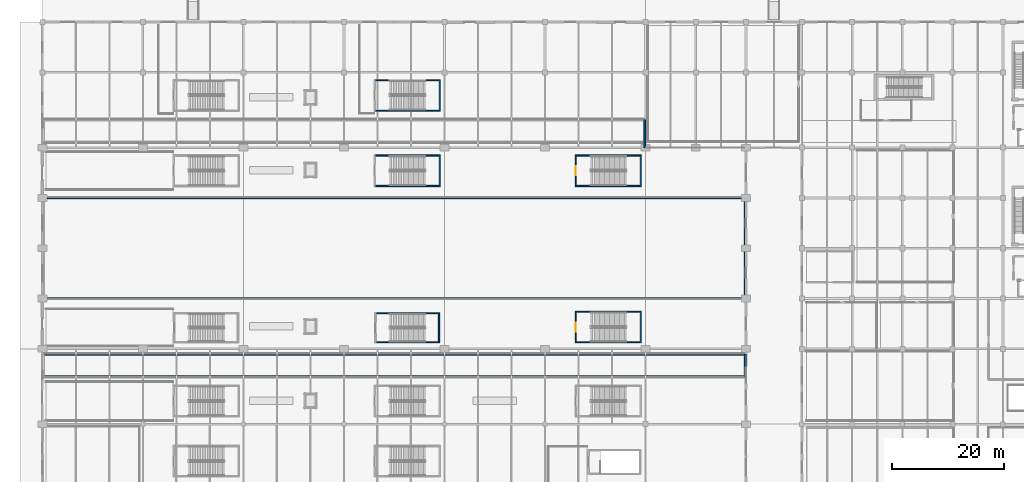
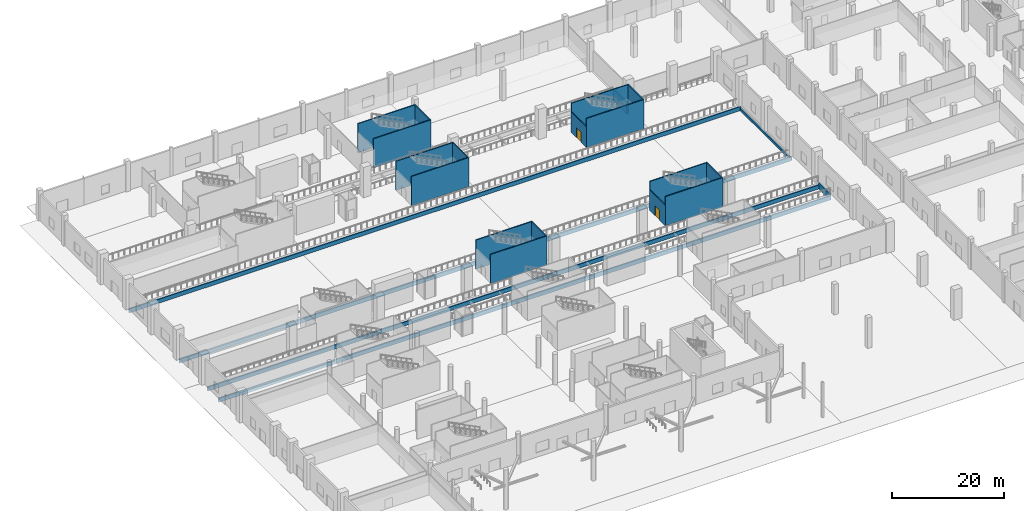
# One storey, part 20 of 65: 24 walls, 2 doors, 2 openings.
"""IFC4 building model written with IfcOpenShell, lengths in metres."""

from ifc_helpers import new_model, si_unit, direction, frame, frame_2d, origin, place, context, subcontext, project, spatial, rectangle, extrude, material, layer, layer_set, type_object, element, fill, save


model = new_model("IFC4")

# Units and contexts
model_context = context("Model", 3, precision=1e-05, world=origin(), true_north=direction((0.0, 1.0)))
body_context = subcontext(model_context, "Body", "Model", "MODEL_VIEW")
ifc_project = project(units=[si_unit("LENGTHUNIT", "METRE"), si_unit("AREAUNIT", "SQUARE_METRE"), si_unit("VOLUMEUNIT", "CUBIC_METRE"), si_unit("PLANEANGLEUNIT", "RADIAN"), si_unit("MASSUNIT", "GRAM", prefix="KILO")], contexts=[model_context])

# Site, building, storey
site_placement = place(None, origin())
site = spatial("IfcSite", under=ifc_project, at=site_placement, CompositionType="ELEMENT")
building_placement = place(site_placement, origin())
building = spatial("IfcBuilding", under=site, at=building_placement, Name="Chuanluo Vaults Station", CompositionType="ELEMENT")
storey_placement = place(building_placement, origin())
storey = spatial("IfcBuildingStorey", under=building, at=storey_placement, Name="L00", CompositionType="ELEMENT", Elevation=0.0)

# Walls
ifc_material_1 = material(Name="Concrete C40", Category="concrete")
ifc_layer_1 = layer(ifc_material_1, 0.300048828125)
ifc_layer_set_1 = layer_set([ifc_layer_1], Name="Concrete C40")
wall_type_1 = type_object("IfcWallType", Name="WL-EXT-300", PredefinedType="SOLIDWALL", material=ifc_layer_set_1)
wall_1_placement = place(storey_placement, frame((125.85009765625, 62.5, -1.25), z_axis=(0.0, 0.0, 1.0), x_axis=(0.0, 1.0, 0.0)))
element("IfcWall", 1, at=wall_1_placement, inside=storey, type_object=wall_type_1, Name="Track 1 east end closure wall", PredefinedType="SOLIDWALL", context=body_context, shape_type="SweptSolid", body=[
    extrude(rectangle(XDim=4.0, YDim=0.300048828125, at=frame_2d((2.0, 0.0))), origin(), (0.0, 0.0, 1.0), 1.22998046875),
])
wall_2_placement = place(storey_placement, frame((125.85009765625, 76.5, -1.25), z_axis=(0.0, 0.0, 1.0), x_axis=(0.0, 1.0, 0.0)))
element("IfcWall", 2, at=wall_2_placement, inside=storey, type_object=wall_type_1, Name="Central tracks east end closure wall", PredefinedType="SOLIDWALL", context=body_context, shape_type="SweptSolid", body=[
    extrude(rectangle(XDim=18.0, YDim=0.300048828125, at=frame_2d((9.0, 0.0))), origin(), (0.0, 0.0, 1.0), 0.52001953125),
])
wall_3_placement = place(storey_placement, frame((107.85009765625, 103.5, -1.25), z_axis=(0.0, 0.0, 1.0), x_axis=(0.0, 1.0, 0.0)))
element("IfcWall", 3, at=wall_3_placement, inside=storey, type_object=wall_type_1, Name="Track 6 east end closure wall", PredefinedType="SOLIDWALL", context=body_context, shape_type="SweptSolid", body=[
    extrude(rectangle(XDim=5.0, YDim=0.300048828125, at=frame_2d((2.5, 0.0))), origin(), (0.0, 0.0, 1.0), 2.5),
])
for number, where, z_axis, x_axis, name in (
    (4, (0.14990234375, 62.5, -1.25), (0.0, 0.0, 1.0), (1.0, 0.0, 0.0), "Platform under-apron closure wall 1"),
    (5, (0.14990234375, 66.5, -1.25), (0.0, 0.0, 1.0), (1.0, 0.0, 0.0), "Platform under-apron closure wall 2"),
    (6, (0.14990234375, 76.5, -1.25), (0.0, 0.0, 1.0), (1.0, 0.0, 0.0), "Platform under-apron closure wall 3"),
    (7, (0.14990234375, 94.5, -1.25), (0.0, 0.0, 1.0), (1.0, 0.0, 0.0), "Platform under-apron closure wall 4"),
):
    element("IfcWall", number, at=place(storey_placement, frame(where, z_axis=z_axis, x_axis=x_axis)), inside=storey, type_object=wall_type_1, Name=name, PredefinedType="SOLIDWALL", context=body_context, shape_type="SweptSolid", body=[
        extrude(rectangle(XDim=125.7001953125, YDim=0.300048828125, at=frame_2d((62.85009765625, 0.0))), origin(), (0.0, 0.0, 1.0), 0.8701171875),
    ])
ifc_material_2 = material(Name="Concrete C40", Category="concrete")
ifc_layer_2 = layer(ifc_material_2, 0.199951171875)
ifc_layer_set_2 = layer_set([ifc_layer_2], Name="Concrete C40")
wall_type_2 = type_object("IfcWallType", Name="WL-SHF-200", PredefinedType="SOLIDWALL", material=ifc_layer_set_2)
for number, where, z_axis, x_axis, name in (
    (8, (59.550048828125, 68.64990234375, 0.0), (0.0, 0.0, 1.0), (1.0, 0.0, 0.0), "Stair ST-11 south shaft wall L00"),
    (9, (71.125, 73.85009765625, 0.0), (0.0, 0.0, 1.0), (-1.0, 0.0, 0.0), "Stair ST-11 north shaft wall L00"),
):
    element("IfcWall", number, at=place(storey_placement, frame(where, z_axis=z_axis, x_axis=x_axis)), inside=storey, type_object=wall_type_2, Name=name, PredefinedType="SOLIDWALL", context=body_context, shape_type="SweptSolid", body=[
        extrude(rectangle(XDim=11.574951171875, YDim=0.199951171875, at=frame_2d((5.78759765625, 0.0))), origin(), (0.0, 0.0, 1.0), 6.320068359375),
    ])
wall_4_placement = place(storey_placement, frame((71.02490234375, 68.550048828125, 0.0), z_axis=(0.0, 0.0, 1.0), x_axis=(0.0, 1.0, 0.0)))
element("IfcWall", 10, at=wall_4_placement, inside=storey, type_object=wall_type_2, Name="Stair ST-11 far shaft wall L00", PredefinedType="SOLIDWALL", context=body_context, shape_type="SweptSolid", body=[
    extrude(rectangle(XDim=5.39990234375, YDim=0.199951171875, at=frame_2d((2.699951171875, 0.0))), origin(), (0.0, 0.0, 1.0), 6.320068359375),
])
for number, where, z_axis, x_axis, name in (
    (11, (95.425048828125, 68.64990234375, 0.0), (0.0, 0.0, 1.0), (1.0, 0.0, 0.0), "Stair ST-12 south shaft wall L00"),
    (12, (107.25, 74.10009765625, 0.0), (0.0, 0.0, 1.0), (-1.0, 0.0, 0.0), "Stair ST-12 north shaft wall L00"),
):
    element("IfcWall", number, at=place(storey_placement, frame(where, z_axis=z_axis, x_axis=x_axis)), inside=storey, type_object=wall_type_2, Name=name, PredefinedType="SOLIDWALL", context=body_context, shape_type="SweptSolid", body=[
        extrude(rectangle(XDim=11.824951171875, YDim=0.199951171875, at=frame_2d((5.91259765625, 0.0))), origin(), (0.0, 0.0, 1.0), 6.320068359375),
    ])
wall_5_placement = place(storey_placement, frame((107.14990234375, 68.550048828125, 0.0), z_axis=(0.0, 0.0, 1.0), x_axis=(0.0, 1.0, 0.0)))
element("IfcWall", 13, at=wall_5_placement, inside=storey, type_object=wall_type_2, Name="Stair ST-12 far shaft wall L00", PredefinedType="SOLIDWALL", context=body_context, shape_type="SweptSolid", body=[
    extrude(rectangle(XDim=5.64990234375, YDim=0.199951171875, at=frame_2d((2.824951171875, 0.0))), origin(), (0.0, 0.0, 1.0), 6.320068359375),
])

# Wall, opening, door
wall_6_placement = place(storey_placement, frame((95.52490234375, 74.199951171875, 0.0), z_axis=(0.0, 0.0, 1.0), x_axis=(0.0, -1.0, 0.0)))
wall_6 = element("IfcWall", 14, at=wall_6_placement, inside=storey, type_object=wall_type_2, Name="Stair ST-12 vestibule wall L00", PredefinedType="SOLIDWALL", context=body_context, shape_type="SweptSolid", body=[
    extrude(rectangle(XDim=5.64990234375, YDim=0.199951171875, at=frame_2d((2.824951171875, 0.0))), origin(), (0.0, 0.0, 1.0), 4.39990234375),
])
opening_1_placement = place(wall_6_placement, frame((2.02490234375, 0.0, 0.0)))
opening_1 = element("IfcOpeningElement", 15, at=opening_1_placement, cuts=wall_6, Name="Opening FD-02", PredefinedType="OPENING", context=body_context, shape_type="SweptSolid", body=[
    extrude(rectangle(XDim=1.60009765625, YDim=2.14990234375, at=frame_2d((0.800048828125, 1.074951171875))), frame((0.0, 0.1101, 0.0), z_axis=(0.0, -1.0, 0.0), x_axis=(1.0, 0.0, 0.0)), (0.0, 0.0, 1.0), 0.21995),
])
ifc_material_3 = material(Name="Fire-rated steel leaf", Category="steel")
door_type = type_object("IfcDoorType", Name="DR-FIR-1600x2150", OperationType="NOTDEFINED", PredefinedType="DOOR", material=ifc_material_3)
door_1_placement = place(opening_1_placement, origin())
door_1 = element("IfcDoor", 16, at=door_1_placement, inside=storey, type_object=door_type, Name="D-103 Stair ST-12 fire door L00", OperationType="SINGLE_SWING_RIGHT", OverallHeight=2.14990234375, OverallWidth=1.60009765625, PredefinedType="DOOR", context=body_context, shape_type="SweptSolid", body=[
    extrude(rectangle(XDim=1.60009765625, YDim=2.14990234375, at=frame_2d((0.800048828125, 1.074951171875))), frame((0.0, 0.02490234375, 0.0), z_axis=(0.0, -1.0, 0.0), x_axis=(1.0, 0.0, 0.0)), (0.0, 0.0, 1.0), 0.050048828125),
])
fill(opening_1, door_1)

# Walls
for number, where, z_axis, x_axis, name in (
    (17, (59.425048828125, 96.64990234375, 0.0), (0.0, 0.0, 1.0), (1.0, 0.0, 0.0), "Stair ST-14 south shaft wall L00"),
    (18, (71.25, 102.10009765625, 0.0), (0.0, 0.0, 1.0), (-1.0, 0.0, 0.0), "Stair ST-14 north shaft wall L00"),
):
    element("IfcWall", number, at=place(storey_placement, frame(where, z_axis=z_axis, x_axis=x_axis)), inside=storey, type_object=wall_type_2, Name=name, PredefinedType="SOLIDWALL", context=body_context, shape_type="SweptSolid", body=[
        extrude(rectangle(XDim=11.824951171875, YDim=0.199951171875, at=frame_2d((5.91259765625, 0.0))), origin(), (0.0, 0.0, 1.0), 6.320068359375),
    ])
wall_7_placement = place(storey_placement, frame((71.14990234375, 96.550048828125, 0.0), z_axis=(0.0, 0.0, 1.0), x_axis=(0.0, 1.0, 0.0)))
element("IfcWall", 19, at=wall_7_placement, inside=storey, type_object=wall_type_2, Name="Stair ST-14 far shaft wall L00", PredefinedType="SOLIDWALL", context=body_context, shape_type="SweptSolid", body=[
    extrude(rectangle(XDim=5.64990234375, YDim=0.199951171875, at=frame_2d((2.824951171875, 0.0))), origin(), (0.0, 0.0, 1.0), 6.320068359375),
])
for number, where, z_axis, x_axis, name in (
    (20, (95.425048828125, 96.64990234375, 0.0), (0.0, 0.0, 1.0), (1.0, 0.0, 0.0), "Stair ST-15 south shaft wall L00"),
    (21, (107.25, 102.10009765625, 0.0), (0.0, 0.0, 1.0), (-1.0, 0.0, 0.0), "Stair ST-15 north shaft wall L00"),
):
    element("IfcWall", number, at=place(storey_placement, frame(where, z_axis=z_axis, x_axis=x_axis)), inside=storey, type_object=wall_type_2, Name=name, PredefinedType="SOLIDWALL", context=body_context, shape_type="SweptSolid", body=[
        extrude(rectangle(XDim=11.824951171875, YDim=0.199951171875, at=frame_2d((5.91259765625, 0.0))), origin(), (0.0, 0.0, 1.0), 6.320068359375),
    ])
wall_8_placement = place(storey_placement, frame((107.14990234375, 96.550048828125, 0.0), z_axis=(0.0, 0.0, 1.0), x_axis=(0.0, 1.0, 0.0)))
element("IfcWall", 22, at=wall_8_placement, inside=storey, type_object=wall_type_2, Name="Stair ST-15 far shaft wall L00", PredefinedType="SOLIDWALL", context=body_context, shape_type="SweptSolid", body=[
    extrude(rectangle(XDim=5.64990234375, YDim=0.199951171875, at=frame_2d((2.824951171875, 0.0))), origin(), (0.0, 0.0, 1.0), 6.320068359375),
])

# Wall, opening, door
wall_9_placement = place(storey_placement, frame((95.52490234375, 102.199951171875, 0.0), z_axis=(0.0, 0.0, 1.0), x_axis=(0.0, -1.0, 0.0)))
wall_9 = element("IfcWall", 23, at=wall_9_placement, inside=storey, type_object=wall_type_2, Name="Stair ST-15 vestibule wall L00", PredefinedType="SOLIDWALL", context=body_context, shape_type="SweptSolid", body=[
    extrude(rectangle(XDim=5.64990234375, YDim=0.199951171875, at=frame_2d((2.824951171875, 0.0))), origin(), (0.0, 0.0, 1.0), 4.39990234375),
])
opening_2_placement = place(wall_9_placement, frame((2.02490234375, 0.0, 0.0)))
opening_2 = element("IfcOpeningElement", 24, at=opening_2_placement, cuts=wall_9, Name="Opening FD-02", PredefinedType="OPENING", context=body_context, shape_type="SweptSolid", body=[
    extrude(rectangle(XDim=1.60009765625, YDim=2.14990234375, at=frame_2d((0.800048828125, 1.074951171875))), frame((0.0, 0.1101, 0.0), z_axis=(0.0, -1.0, 0.0), x_axis=(1.0, 0.0, 0.0)), (0.0, 0.0, 1.0), 0.21995),
])
door_2_placement = place(opening_2_placement, origin())
door_2 = element("IfcDoor", 25, at=door_2_placement, inside=storey, type_object=door_type, Name="D-109 Stair ST-15 fire door L00", OperationType="SINGLE_SWING_RIGHT", OverallHeight=2.14990234375, OverallWidth=1.60009765625, PredefinedType="DOOR", context=body_context, shape_type="SweptSolid", body=[
    extrude(rectangle(XDim=1.60009765625, YDim=2.14990234375, at=frame_2d((0.800048828125, 1.074951171875))), frame((0.0, 0.02490234375, 0.0), z_axis=(0.0, -1.0, 0.0), x_axis=(1.0, 0.0, 0.0)), (0.0, 0.0, 1.0), 0.050048828125),
])
fill(opening_2, door_2)

# Walls
for number, where, z_axis, x_axis, name in (
    (26, (59.425048828125, 110.14990234375, 0.0), (0.0, 0.0, 1.0), (1.0, 0.0, 0.0), "Stair ST-17 south shaft wall L00"),
    (27, (71.25, 115.60009765625, 0.0), (0.0, 0.0, 1.0), (-1.0, 0.0, 0.0), "Stair ST-17 north shaft wall L00"),
):
    element("IfcWall", number, at=place(storey_placement, frame(where, z_axis=z_axis, x_axis=x_axis)), inside=storey, type_object=wall_type_2, Name=name, PredefinedType="SOLIDWALL", context=body_context, shape_type="SweptSolid", body=[
        extrude(rectangle(XDim=11.824951171875, YDim=0.199951171875, at=frame_2d((5.91259765625, 0.0))), origin(), (0.0, 0.0, 1.0), 6.320068359375),
    ])
wall_10_placement = place(storey_placement, frame((71.14990234375, 110.050048828125, 0.0), z_axis=(0.0, 0.0, 1.0), x_axis=(0.0, 1.0, 0.0)))
element("IfcWall", 28, at=wall_10_placement, inside=storey, type_object=wall_type_2, Name="Stair ST-17 far shaft wall L00", PredefinedType="SOLIDWALL", context=body_context, shape_type="SweptSolid", body=[
    extrude(rectangle(XDim=5.64990234375, YDim=0.199951171875, at=frame_2d((2.824951171875, 0.0))), origin(), (0.0, 0.0, 1.0), 6.320068359375),
])

save(model, "model.ifc")
